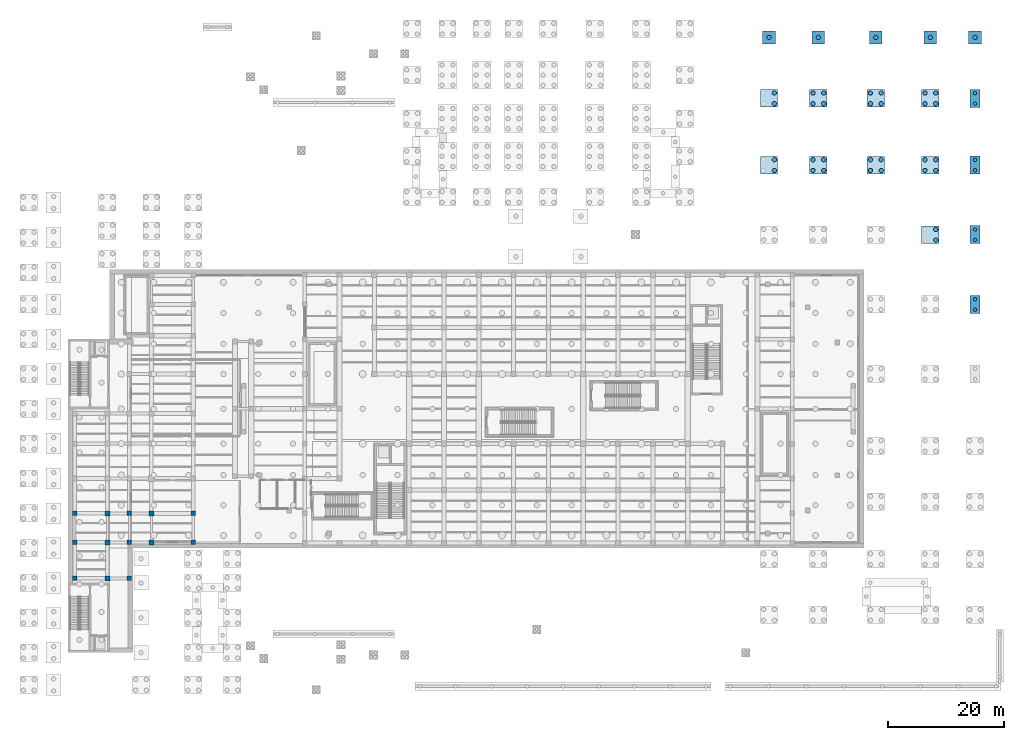
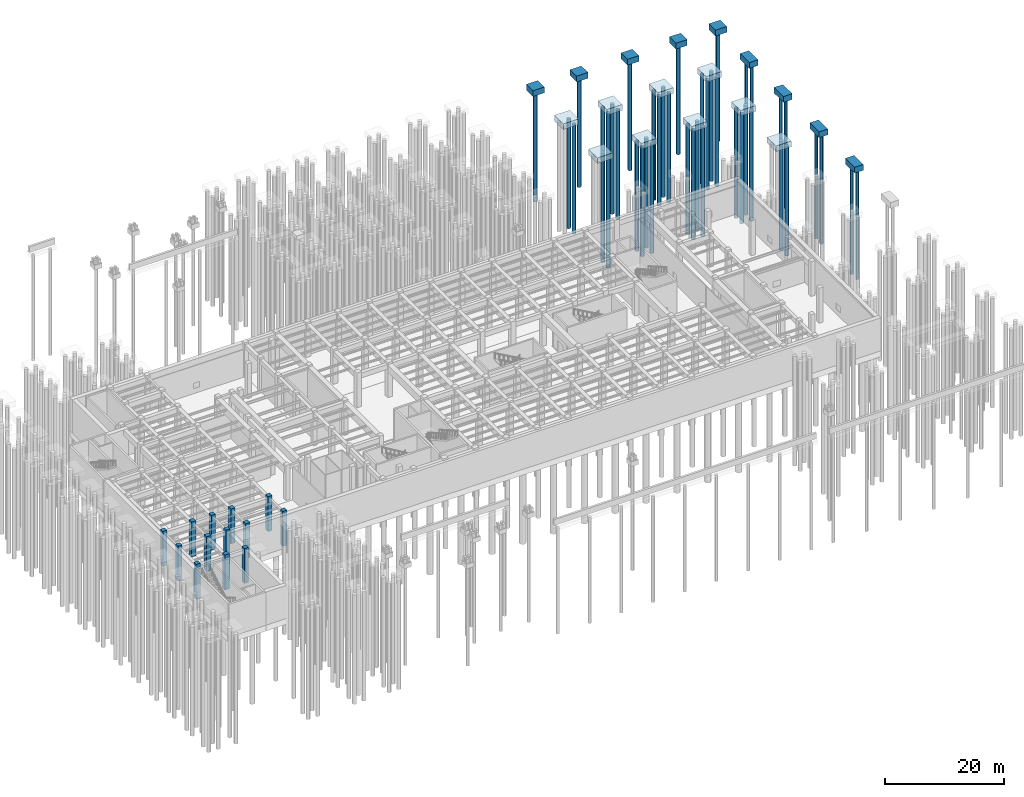
# One storey, part 6 of 30: 43 piles, 18 footings, 13 columns.
"""IFC4 building model written with IfcOpenShell, lengths in metres."""

from ifc_helpers import new_model, si_unit, direction, frame, origin, origin_2d, place, context, subcontext, project, spatial, rectangle, circle, extrude, material, material_profile, profile_set, type_object, element, save


model = new_model("IFC4")

# Units and contexts
model_context = context("Model", 3, precision=1e-05, world=origin(), true_north=direction((0.0, 1.0)))
body_context = subcontext(model_context, "Body", "Model", "MODEL_VIEW")
ifc_project = project(units=[si_unit("LENGTHUNIT", "METRE"), si_unit("AREAUNIT", "SQUARE_METRE"), si_unit("VOLUMEUNIT", "CUBIC_METRE"), si_unit("PLANEANGLEUNIT", "RADIAN"), si_unit("MASSUNIT", "GRAM", prefix="KILO")], contexts=[model_context])

# Site, building, storey
site_placement = place(None, origin())
site = spatial("IfcSite", under=ifc_project, at=site_placement, CompositionType="ELEMENT")
building_placement = place(site_placement, origin())
building = spatial("IfcBuilding", under=site, at=building_placement, Name="Kolvaren Corner Interchange", CompositionType="ELEMENT")
storey_placement = place(building_placement, frame((0.0, 0.0, -7.199951171875)))
storey = spatial("IfcBuildingStorey", under=building, at=storey_placement, Name="B1", CompositionType="ELEMENT", Elevation=-7.199951171875)

# Footings
ifc_material_1 = material(Name="Concrete C40/50", Category="concrete")
footing_type_1 = type_object("IfcFootingType", Name="FC-2P", PredefinedType="PILE_CAP", material=ifc_material_1)
for number, where, z_axis, x_axis, name in (
    (1, (163.5, 66.0, 5.60009765625), (0.0, 0.0, 1.0), (1.0, 0.0, 0.0), "Reinforced Concrete Foundation Pile Cap 136"),
    (2, (163.5, 78.0, 5.60009765625), (0.0, 0.0, 1.0), (1.0, 0.0, 0.0), "Reinforced Concrete Foundation Pile Cap 137"),
    (3, (163.5, 90.0, 5.60009765625), (0.0, 0.0, 1.0), (1.0, 0.0, 0.0), "Reinforced Concrete Foundation Pile Cap 138"),
    (4, (163.5, 101.5, 5.60009765625), (0.0, 0.0, 1.0), (1.0, 0.0, 0.0), "Reinforced Concrete Foundation Pile Cap 139"),
):
    element("IfcFooting", number, at=place(storey_placement, frame(where, z_axis=z_axis, x_axis=x_axis)), inside=storey, type_object=footing_type_1, Name=name, PredefinedType="PILE_CAP", context=body_context, shape_type="SweptSolid", body=[
        extrude(rectangle(XDim=1.699951171875, YDim=3.10009765625, at=origin_2d()), origin(), (0.0, 0.0, 1.0), 1.199951171875),
    ])
ifc_material_2 = material(Name="Concrete C40/50", Category="concrete")
footing_type_2 = type_object("IfcFootingType", Name="FC-4P", PredefinedType="PILE_CAP", material=ifc_material_2)
for number, where, z_axis, x_axis, name in (
    (5, (128.0, 90.0, 5.60009765625), (0.0, 0.0, 1.0), (1.0, 0.0, 0.0), "Reinforced Concrete Foundation Pile Cap 102"),
    (6, (128.0, 101.5, 5.60009765625), (0.0, 0.0, 1.0), (1.0, 0.0, 0.0), "Reinforced Concrete Foundation Pile Cap 103"),
    (7, (136.5, 90.0, 5.60009765625), (0.0, 0.0, 1.0), (1.0, 0.0, 0.0), "Reinforced Concrete Foundation Pile Cap 108"),
    (8, (136.5, 101.5, 5.60009765625), (0.0, 0.0, 1.0), (1.0, 0.0, 0.0), "Reinforced Concrete Foundation Pile Cap 109"),
    (9, (146.39990234375, 90.0, 5.60009765625), (0.0, 0.0, 1.0), (1.0, 0.0, 0.0), "Reinforced Concrete Foundation Pile Cap 118"),
    (10, (146.39990234375, 101.5, 5.60009765625), (0.0, 0.0, 1.0), (1.0, 0.0, 0.0), "Reinforced Concrete Foundation Pile Cap 119"),
    (11, (155.800048828125, 78.0, 5.60009765625), (0.0, 0.0, 1.0), (1.0, 0.0, 0.0), "Reinforced Concrete Foundation Pile Cap 127"),
    (12, (155.800048828125, 90.0, 5.60009765625), (0.0, 0.0, 1.0), (1.0, 0.0, 0.0), "Reinforced Concrete Foundation Pile Cap 128"),
    (13, (155.800048828125, 101.5, 5.60009765625), (0.0, 0.0, 1.0), (1.0, 0.0, 0.0), "Reinforced Concrete Foundation Pile Cap 129"),
):
    element("IfcFooting", number, at=place(storey_placement, frame(where, z_axis=z_axis, x_axis=x_axis)), inside=storey, type_object=footing_type_2, Name=name, PredefinedType="PILE_CAP", context=body_context, shape_type="SweptSolid", body=[
        extrude(rectangle(XDim=3.0, YDim=3.0, at=origin_2d()), origin(), (0.0, 0.0, 1.0), 1.199951171875),
    ])
ifc_material_3 = material(Name="Concrete C40/50", Category="concrete")
footing_type_3 = type_object("IfcFootingType", Name="FD-PAD1", PredefinedType="PAD_FOOTING", material=ifc_material_3)
for number, where, z_axis, x_axis, name in (
    (14, (128.0, 112.0, 5.7099609375), (0.0, 0.0, 1.0), (1.0, 0.0, 0.0), "Reinforced Concrete Foundation Pile Cap 104"),
    (15, (136.5, 112.0, 5.7099609375), (0.0, 0.0, 1.0), (1.0, 0.0, 0.0), "Reinforced Concrete Foundation Pile Cap 110"),
    (16, (146.39990234375, 112.0, 5.7099609375), (0.0, 0.0, 1.0), (1.0, 0.0, 0.0), "Reinforced Concrete Foundation Pile Cap 120"),
    (17, (155.800048828125, 112.0, 5.7099609375), (0.0, 0.0, 1.0), (1.0, 0.0, 0.0), "Reinforced Concrete Foundation Pile Cap 130"),
    (18, (163.5, 112.0, 5.7099609375), (0.0, 0.0, 1.0), (1.0, 0.0, 0.0), "Reinforced Concrete Foundation Pile Cap 140"),
):
    element("IfcFooting", number, at=place(storey_placement, frame(where, z_axis=z_axis, x_axis=x_axis)), inside=storey, type_object=footing_type_3, Name=name, PredefinedType="PAD_FOOTING", context=body_context, shape_type="SweptSolid", body=[
        extrude(rectangle(XDim=2.199951171875, YDim=2.199951171875, at=origin_2d()), origin(), (0.0, 0.0, 1.0), 1.199951171875),
    ])

# Piles
ifc_material_4 = material(Name="Concrete C40/50", Category="concrete")
ifc_material_profile_1 = material_profile(ifc_material_4, circle(Radius=0.300048828125, at=origin_2d()), Name="BORED PILE 600")
ifc_profile_set_1 = profile_set([ifc_material_profile_1], Name="Concrete C40/50")
pile_type_1 = type_object("IfcPileType", Name="PILE-BP600", PredefinedType="BORED", material=ifc_profile_set_1)
for number, where, z_axis, x_axis, name in (
    (19, (163.5, 65.10009765625, 5.699951171875), (0.0, 0.0, -1.0), (1.0, 0.0, 0.0), "Pile Cap Rotary Bored Pile 0509"),
    (20, (163.5, 66.89990234375, 5.699951171875), (0.0, 0.0, -1.0), (1.0, 0.0, 0.0), "Pile Cap Rotary Bored Pile 0510"),
    (21, (163.5, 77.10009765625, 5.699951171875), (0.0, 0.0, -1.0), (1.0, 0.0, 0.0), "Pile Cap Rotary Bored Pile 0511"),
    (22, (163.5, 78.89990234375, 5.699951171875), (0.0, 0.0, -1.0), (1.0, 0.0, 0.0), "Pile Cap Rotary Bored Pile 0512"),
    (23, (163.5, 89.10009765625, 5.699951171875), (0.0, 0.0, -1.0), (1.0, 0.0, 0.0), "Pile Cap Rotary Bored Pile 0513"),
    (24, (163.5, 90.89990234375, 5.699951171875), (0.0, 0.0, -1.0), (1.0, 0.0, 0.0), "Pile Cap Rotary Bored Pile 0514"),
    (25, (163.5, 100.60009765625, 5.699951171875), (0.0, 0.0, -1.0), (1.0, 0.0, 0.0), "Pile Cap Rotary Bored Pile 0515"),
    (26, (163.5, 102.39990234375, 5.699951171875), (0.0, 0.0, -1.0), (1.0, 0.0, 0.0), "Pile Cap Rotary Bored Pile 0516"),
):
    element("IfcPile", number, at=place(storey_placement, frame(where, z_axis=z_axis, x_axis=x_axis)), inside=storey, type_object=pile_type_1, Name=name, PredefinedType="BORED", context=body_context, shape_type="SweptSolid", body=[
        extrude(circle(Radius=0.300048828125, at=origin_2d()), origin(), (0.0, 0.0, 1.0), 22.5),
    ])
ifc_material_5 = material(Name="Concrete C40/50", Category="concrete")
ifc_material_profile_2 = material_profile(ifc_material_5, circle(Radius=0.375, at=origin_2d()), Name="BORED PILE 750")
ifc_profile_set_2 = profile_set([ifc_material_profile_2], Name="Concrete C40/50")
pile_type_2 = type_object("IfcPileType", Name="PILE-BP750", PredefinedType="BORED", material=ifc_profile_set_2)
for number, where, z_axis, x_axis, name in (
    (27, (128.919921875, 89.080078125, 5.699951171875), (0.0, 0.0, -1.0), (1.0, 0.0, 0.0), "Pile Cap Rotary Bored Pile 0388"),
    (28, (128.919921875, 90.919921875, 5.699951171875), (0.0, 0.0, -1.0), (1.0, 0.0, 0.0), "Pile Cap Rotary Bored Pile 0390"),
    (29, (128.919921875, 100.580078125, 5.699951171875), (0.0, 0.0, -1.0), (1.0, 0.0, 0.0), "Pile Cap Rotary Bored Pile 0392"),
    (30, (128.919921875, 102.419921875, 5.699951171875), (0.0, 0.0, -1.0), (1.0, 0.0, 0.0), "Pile Cap Rotary Bored Pile 0394"),
):
    element("IfcPile", number, at=place(storey_placement, frame(where, z_axis=z_axis, x_axis=x_axis)), inside=storey, type_object=pile_type_2, Name=name, PredefinedType="BORED", context=body_context, shape_type="SweptSolid", body=[
        extrude(circle(Radius=0.375, at=origin_2d()), origin(), (0.0, 0.0, 1.0), 22.5),
    ])
pile_1_placement = place(storey_placement, frame((128.0, 112.0, 5.81005859375), z_axis=(0.0, 0.0, -1.0), x_axis=(1.0, 0.0, 0.0)))
element("IfcPile", 31, at=pile_1_placement, inside=storey, type_object=pile_type_2, Name="Pile Cap Rotary Bored Pile 0395", PredefinedType="BORED", context=body_context, shape_type="SweptSolid", body=[
    extrude(circle(Radius=0.375, at=origin_2d()), origin(), (0.0, 0.0, 1.0), 22.610107421875),
])
for number, where, z_axis, x_axis, name in (
    (32, (135.580078125, 89.080078125, 5.699951171875), (0.0, 0.0, -1.0), (1.0, 0.0, 0.0), "Pile Cap Rotary Bored Pile 0408"),
    (33, (137.419921875, 89.080078125, 5.699951171875), (0.0, 0.0, -1.0), (1.0, 0.0, 0.0), "Pile Cap Rotary Bored Pile 0409"),
    (34, (135.580078125, 90.919921875, 5.699951171875), (0.0, 0.0, -1.0), (1.0, 0.0, 0.0), "Pile Cap Rotary Bored Pile 0410"),
    (35, (137.419921875, 90.919921875, 5.699951171875), (0.0, 0.0, -1.0), (1.0, 0.0, 0.0), "Pile Cap Rotary Bored Pile 0411"),
    (36, (135.580078125, 100.580078125, 5.699951171875), (0.0, 0.0, -1.0), (1.0, 0.0, 0.0), "Pile Cap Rotary Bored Pile 0412"),
    (37, (137.419921875, 100.580078125, 5.699951171875), (0.0, 0.0, -1.0), (1.0, 0.0, 0.0), "Pile Cap Rotary Bored Pile 0413"),
    (38, (135.580078125, 102.419921875, 5.699951171875), (0.0, 0.0, -1.0), (1.0, 0.0, 0.0), "Pile Cap Rotary Bored Pile 0414"),
    (39, (137.419921875, 102.419921875, 5.699951171875), (0.0, 0.0, -1.0), (1.0, 0.0, 0.0), "Pile Cap Rotary Bored Pile 0415"),
):
    element("IfcPile", number, at=place(storey_placement, frame(where, z_axis=z_axis, x_axis=x_axis)), inside=storey, type_object=pile_type_2, Name=name, PredefinedType="BORED", context=body_context, shape_type="SweptSolid", body=[
        extrude(circle(Radius=0.375, at=origin_2d()), origin(), (0.0, 0.0, 1.0), 22.5),
    ])
pile_2_placement = place(storey_placement, frame((136.5, 112.0, 5.81005859375), z_axis=(0.0, 0.0, -1.0), x_axis=(1.0, 0.0, 0.0)))
element("IfcPile", 40, at=pile_2_placement, inside=storey, type_object=pile_type_2, Name="Pile Cap Rotary Bored Pile 0416", PredefinedType="BORED", context=body_context, shape_type="SweptSolid", body=[
    extrude(circle(Radius=0.375, at=origin_2d()), origin(), (0.0, 0.0, 1.0), 22.610107421875),
])
for number, where, z_axis, x_axis, name in (
    (41, (145.47998046875, 89.080078125, 5.699951171875), (0.0, 0.0, -1.0), (1.0, 0.0, 0.0), "Pile Cap Rotary Bored Pile 0445"),
    (42, (147.320068359375, 89.080078125, 5.699951171875), (0.0, 0.0, -1.0), (1.0, 0.0, 0.0), "Pile Cap Rotary Bored Pile 0446"),
    (43, (145.47998046875, 90.919921875, 5.699951171875), (0.0, 0.0, -1.0), (1.0, 0.0, 0.0), "Pile Cap Rotary Bored Pile 0447"),
    (44, (147.320068359375, 90.919921875, 5.699951171875), (0.0, 0.0, -1.0), (1.0, 0.0, 0.0), "Pile Cap Rotary Bored Pile 0448"),
    (45, (145.47998046875, 100.580078125, 5.699951171875), (0.0, 0.0, -1.0), (1.0, 0.0, 0.0), "Pile Cap Rotary Bored Pile 0449"),
    (46, (147.320068359375, 100.580078125, 5.699951171875), (0.0, 0.0, -1.0), (1.0, 0.0, 0.0), "Pile Cap Rotary Bored Pile 0450"),
    (47, (145.47998046875, 102.419921875, 5.699951171875), (0.0, 0.0, -1.0), (1.0, 0.0, 0.0), "Pile Cap Rotary Bored Pile 0451"),
    (48, (147.320068359375, 102.419921875, 5.699951171875), (0.0, 0.0, -1.0), (1.0, 0.0, 0.0), "Pile Cap Rotary Bored Pile 0452"),
):
    element("IfcPile", number, at=place(storey_placement, frame(where, z_axis=z_axis, x_axis=x_axis)), inside=storey, type_object=pile_type_2, Name=name, PredefinedType="BORED", context=body_context, shape_type="SweptSolid", body=[
        extrude(circle(Radius=0.375, at=origin_2d()), origin(), (0.0, 0.0, 1.0), 22.5),
    ])
pile_3_placement = place(storey_placement, frame((146.39990234375, 112.0, 5.81005859375), z_axis=(0.0, 0.0, -1.0), x_axis=(1.0, 0.0, 0.0)))
element("IfcPile", 49, at=pile_3_placement, inside=storey, type_object=pile_type_2, Name="Pile Cap Rotary Bored Pile 0453", PredefinedType="BORED", context=body_context, shape_type="SweptSolid", body=[
    extrude(circle(Radius=0.375, at=origin_2d()), origin(), (0.0, 0.0, 1.0), 22.610107421875),
])
for number, where, z_axis, x_axis, name in (
    (50, (156.719970703125, 77.080078125, 5.699951171875), (0.0, 0.0, -1.0), (1.0, 0.0, 0.0), "Pile Cap Rotary Bored Pile 0479"),
    (51, (156.719970703125, 78.919921875, 5.699951171875), (0.0, 0.0, -1.0), (1.0, 0.0, 0.0), "Pile Cap Rotary Bored Pile 0481"),
    (52, (154.8798828125, 89.080078125, 5.699951171875), (0.0, 0.0, -1.0), (1.0, 0.0, 0.0), "Pile Cap Rotary Bored Pile 0482"),
    (53, (156.719970703125, 89.080078125, 5.699951171875), (0.0, 0.0, -1.0), (1.0, 0.0, 0.0), "Pile Cap Rotary Bored Pile 0483"),
    (54, (154.8798828125, 90.919921875, 5.699951171875), (0.0, 0.0, -1.0), (1.0, 0.0, 0.0), "Pile Cap Rotary Bored Pile 0484"),
    (55, (156.719970703125, 90.919921875, 5.699951171875), (0.0, 0.0, -1.0), (1.0, 0.0, 0.0), "Pile Cap Rotary Bored Pile 0485"),
    (56, (154.8798828125, 100.580078125, 5.699951171875), (0.0, 0.0, -1.0), (1.0, 0.0, 0.0), "Pile Cap Rotary Bored Pile 0486"),
    (57, (156.719970703125, 100.580078125, 5.699951171875), (0.0, 0.0, -1.0), (1.0, 0.0, 0.0), "Pile Cap Rotary Bored Pile 0487"),
    (58, (154.8798828125, 102.419921875, 5.699951171875), (0.0, 0.0, -1.0), (1.0, 0.0, 0.0), "Pile Cap Rotary Bored Pile 0488"),
    (59, (156.719970703125, 102.419921875, 5.699951171875), (0.0, 0.0, -1.0), (1.0, 0.0, 0.0), "Pile Cap Rotary Bored Pile 0489"),
):
    element("IfcPile", number, at=place(storey_placement, frame(where, z_axis=z_axis, x_axis=x_axis)), inside=storey, type_object=pile_type_2, Name=name, PredefinedType="BORED", context=body_context, shape_type="SweptSolid", body=[
        extrude(circle(Radius=0.375, at=origin_2d()), origin(), (0.0, 0.0, 1.0), 22.5),
    ])
for number, where, z_axis, x_axis, name in (
    (60, (155.800048828125, 112.0, 5.81005859375), (0.0, 0.0, -1.0), (1.0, 0.0, 0.0), "Pile Cap Rotary Bored Pile 0490"),
    (61, (163.5, 112.0, 5.81005859375), (0.0, 0.0, -1.0), (1.0, 0.0, 0.0), "Pile Cap Rotary Bored Pile 0517"),
):
    element("IfcPile", number, at=place(storey_placement, frame(where, z_axis=z_axis, x_axis=x_axis)), inside=storey, type_object=pile_type_2, Name=name, PredefinedType="BORED", context=body_context, shape_type="SweptSolid", body=[
        extrude(circle(Radius=0.375, at=origin_2d()), origin(), (0.0, 0.0, 1.0), 22.610107421875),
    ])

# Columns
ifc_material_6 = material(Name="Concrete C40/50", Category="concrete")
ifc_material_profile_3 = material_profile(ifc_material_6, rectangle(XDim=0.800048828125, YDim=0.800048828125, at=origin_2d()), Name="RC 800x800")
ifc_profile_set_3 = profile_set([ifc_material_profile_3], Name="Concrete C40/50")
column_type_1 = type_object("IfcColumnType", Name="COL-RC800", PredefinedType="COLUMN", material=ifc_profile_set_3)
for number, where, z_axis, x_axis, name in (
    (62, (8.39990234375, 18.800048828125, 0.0), (0.0, 0.0, 1.0), (1.0, 0.0, 0.0), "Storey B1 Structural Column 0212"),
    (63, (8.39990234375, 25.0, 0.0), (0.0, 0.0, 1.0), (1.0, 0.0, 0.0), "Storey B1 Structural Column 0218"),
    (64, (8.39990234375, 30.0, 0.0), (0.0, 0.0, 1.0), (1.0, 0.0, 0.0), "Storey B1 Structural Column 0224"),
    (65, (17.800048828125, 18.800048828125, 0.0), (0.0, 0.0, 1.0), (1.0, 0.0, 0.0), "Storey B1 Structural Column 0284"),
    (66, (17.800048828125, 25.0, 0.0), (0.0, 0.0, 1.0), (1.0, 0.0, 0.0), "Storey B1 Structural Column 0290"),
    (67, (17.800048828125, 30.0, 0.0), (0.0, 0.0, 1.0), (1.0, 0.0, 0.0), "Storey B1 Structural Column 0296"),
    (68, (28.800048828125, 25.0, 0.0), (0.0, 0.0, 1.0), (1.0, 0.0, 0.0), "Storey B1 Structural Column 0382"),
    (69, (28.800048828125, 30.0, 0.0), (0.0, 0.0, 1.0), (1.0, 0.0, 0.0), "Storey B1 Structural Column 0386"),
):
    element("IfcColumn", number, at=place(storey_placement, frame(where, z_axis=z_axis, x_axis=x_axis)), inside=storey, type_object=column_type_1, Name=name, PredefinedType="COLUMN", context=body_context, shape_type="SweptSolid", body=[
        extrude(rectangle(XDim=0.800048828125, YDim=0.800048828125, at=origin_2d()), origin(), (0.0, 0.0, 1.0), 7.199951171875),
    ])
ifc_material_7 = material(Name="Concrete C40/50", Category="concrete")
ifc_material_profile_4 = material_profile(ifc_material_7, rectangle(XDim=0.85009765625, YDim=0.85009765625, at=origin_2d()), Name="RC 850x850")
ifc_profile_set_4 = profile_set([ifc_material_profile_4], Name="Concrete C40/50")
column_type_2 = type_object("IfcColumnType", Name="COL-RC850", PredefinedType="COLUMN", material=ifc_profile_set_4)
for number, where, z_axis, x_axis, name in (
    (70, (14.0, 18.800048828125, 0.0), (0.0, 0.0, 1.0), (1.0, 0.0, 0.0), "Storey B1 Structural Column 0248"),
    (71, (14.0, 25.0, 0.0), (0.0, 0.0, 1.0), (1.0, 0.0, 0.0), "Storey B1 Structural Column 0254"),
    (72, (14.0, 30.0, 0.0), (0.0, 0.0, 1.0), (1.0, 0.0, 0.0), "Storey B1 Structural Column 0260"),
    (73, (21.60009765625, 25.0, 0.0), (0.0, 0.0, 1.0), (1.0, 0.0, 0.0), "Storey B1 Structural Column 0331"),
    (74, (21.60009765625, 30.0, 0.0), (0.0, 0.0, 1.0), (1.0, 0.0, 0.0), "Storey B1 Structural Column 0337"),
):
    element("IfcColumn", number, at=place(storey_placement, frame(where, z_axis=z_axis, x_axis=x_axis)), inside=storey, type_object=column_type_2, Name=name, PredefinedType="COLUMN", context=body_context, shape_type="SweptSolid", body=[
        extrude(rectangle(XDim=0.85009765625, YDim=0.85009765625, at=origin_2d()), origin(), (0.0, 0.0, 1.0), 7.199951171875),
    ])

save(model, "model.ifc")
